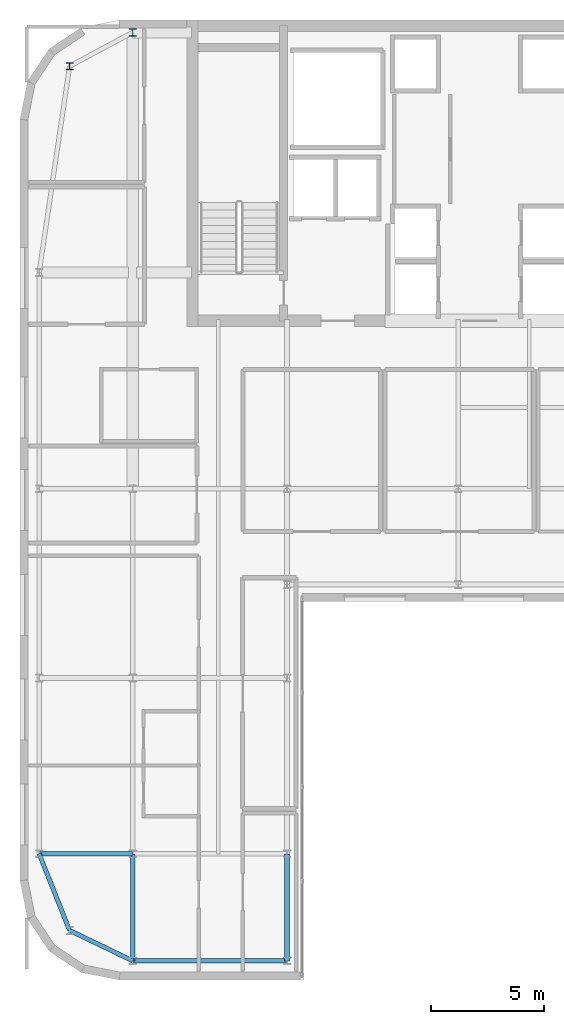
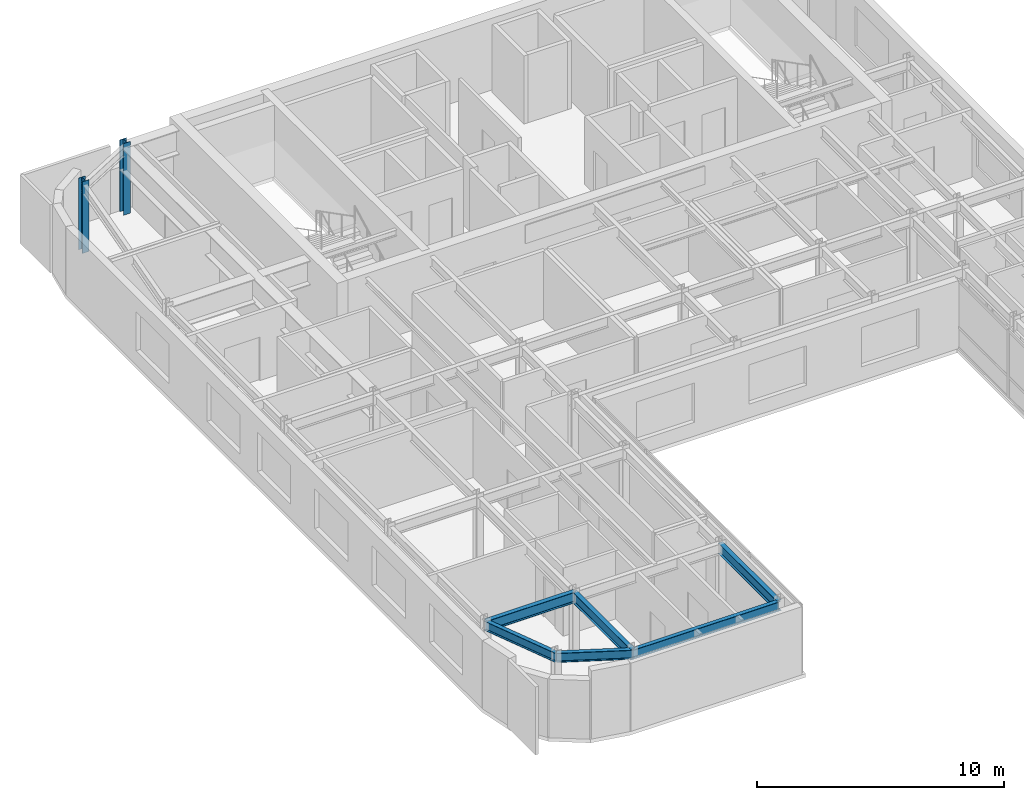
# One storey, part 3 of 18: 6 beams, 2 columns.
"""IFC4 building model written with IfcOpenShell, lengths in metres."""

from ifc_helpers import new_model, si_unit, direction, frame, origin, origin_2d, place, context, subcontext, project, spatial, i_section, extrude, source, transform, mapped, material, material_profile, profile_set, type_object, type_shapes, element, save


model = new_model("IFC4")

# Units and contexts
model_context = context("Model", 3, precision=1e-05, world=origin(), true_north=direction((0.0, 1.0)))
body_context = subcontext(model_context, "Body", "Model", "MODEL_VIEW")
ifc_project = project(units=[si_unit("LENGTHUNIT", "METRE"), si_unit("AREAUNIT", "SQUARE_METRE"), si_unit("VOLUMEUNIT", "CUBIC_METRE"), si_unit("PLANEANGLEUNIT", "RADIAN"), si_unit("MASSUNIT", "GRAM", prefix="KILO")], contexts=[model_context])

# Site, building, storey
site_placement = place(None, origin())
site = spatial("IfcSite", under=ifc_project, at=site_placement, CompositionType="ELEMENT")
building_placement = place(site_placement, origin())
building = spatial("IfcBuilding", under=site, at=building_placement, Name="Tolvann Quenvar Hotel", CompositionType="ELEMENT")
storey_placement = place(building_placement, frame((0.0, 0.0, 252.300048828125)))
storey = spatial("IfcBuildingStorey", under=building, at=storey_placement, Name="L67", CompositionType="ELEMENT", Elevation=252.300048828125)

# Columns
ifc_material = material(Name="Steel Grade 350", Category="steel")
ifc_material_profile_1 = material_profile(ifc_material, i_section(OverallWidth=0.30908203125, OverallDepth=0.321044921875, WebThickness=0.013916015625, FlangeThickness=0.021728515625, FilletRadius=0.0166015625, at=origin_2d()), Name="310UC137")
ifc_profile_set_1 = profile_set([ifc_material_profile_1], Name="Steel Grade 350")
column_type = type_object("IfcColumnType", Name="COL_310UC137", PredefinedType="COLUMN", material=ifc_profile_set_1)
shared_shape_1 = source(origin(), body_context, "Body", "SweptSolid", [
    extrude(i_section(OverallWidth=0.30908203125, OverallDepth=0.321044921875, WebThickness=0.013916015625, FlangeThickness=0.021728515625, FilletRadius=0.0166015625, at=origin_2d()), origin(), (0.0, 0.0, 1.0), 3.550048828125),
])
type_shapes(column_type, [shared_shape_1])
for number, where, z_axis, x_axis, name in (
    (1, (4.800048828125, 43.14990234375, 0.0), (0.0, 0.0, 1.0), (1.0, 0.0, 0.0), "Column BN (L67)"),
    (2, (7.60009765625, 44.64990234375, 0.0), (0.0, 0.0, 1.0), (1.0, 0.0, 0.0), "Column CN (L67)"),
):
    element("IfcColumn", number, at=place(storey_placement, frame(where, z_axis=z_axis, x_axis=x_axis)), inside=storey, type_object=column_type, Name=name, PredefinedType="COLUMN", context=body_context, shape_type="MappedRepresentation", body=[
        mapped(shared_shape_1, transform((0.0, 0.0, 0.0), x_axis=(1.0, 0.0, 0.0), y_axis=(0.0, 1.0, 0.0), z_axis=(0.0, 0.0, 1.0), scale=1.0)),
    ])

# Beams
ifc_material_profile_2 = material_profile(ifc_material, i_section(OverallWidth=0.208984375, OverallDepth=0.532958984375, WebThickness=0.01025390625, FlangeThickness=0.015625, FilletRadius=0.013916015625, at=origin_2d()), Name="530UB92")
ifc_profile_set_2 = profile_set([ifc_material_profile_2], Name="Steel Grade 350")
beam_type_1 = type_object("IfcBeamType", Name="BM_GIRD_530UB92", PredefinedType="BEAM", material=ifc_profile_set_2)
shared_shape_2 = source(origin(), body_context, "Body", "SweptSolid", [
    extrude(i_section(OverallWidth=0.208984375, OverallDepth=0.532958984375, WebThickness=0.01025390625, FlangeThickness=0.015625, FilletRadius=0.013916015625, at=origin_2d()), origin(), (0.0, 0.0, 1.0), 4.75),
])
for number, where, z_axis, x_axis, name in (
    (3, (7.60009765625, 3.449951171875, 3.103515625), (0.0, 1.0, 0.0), (-1.0, 0.0, 0.0), "BM-L67-NS-C2-C3"),
    (4, (14.449951171875, 3.449951171875, 3.103515625), (0.0, 1.0, 0.0), (-1.0, 0.0, 0.0), "BM-L67-NS-D2-D3"),
):
    element("IfcBeam", number, at=place(storey_placement, frame(where, z_axis=z_axis, x_axis=x_axis)), inside=storey, type_object=beam_type_1, Name=name, PredefinedType="BEAM", context=body_context, shape_type="MappedRepresentation", body=[
        mapped(shared_shape_2, transform((0.0, 0.0, 0.0), x_axis=(1.0, 0.0, 0.0), y_axis=(0.0, 1.0, 0.0), z_axis=(0.0, 0.0, 1.0), scale=1.0)),
    ])
ifc_material_profile_3 = material_profile(ifc_material, i_section(OverallWidth=0.19091796875, OverallDepth=0.4599609375, WebThickness=0.010009765625, FlangeThickness=0.01611328125, FilletRadius=0.011474609375, at=origin_2d()), Name="460UB82")
ifc_profile_set_3 = profile_set([ifc_material_profile_3], Name="Steel Grade 350")
beam_type_2 = type_object("IfcBeamType", Name="BM_SPAND_460UB82", PredefinedType="SPANDREL", material=ifc_profile_set_3)
shared_shape_3 = source(origin(), body_context, "Body", "SweptSolid", [
    extrude(i_section(OverallWidth=0.19091796875, OverallDepth=0.4599609375, WebThickness=0.010009765625, FlangeThickness=0.01611328125, FilletRadius=0.011474609375, at=origin_2d()), origin(), (0.0, 0.0, 1.0), 3.108642578125),
])
beam_1_placement = place(storey_placement, frame((4.800048828125, 4.800048828125, 3.139892578125), z_axis=(0.900759354066, -0.434318530646, 0.0), x_axis=(0.434318530646, 0.900759354066, 0.0)))
element("IfcBeam", 5, at=beam_1_placement, inside=storey, type_object=beam_type_2, Name="BM-L67-EW-2-B2-C2", PredefinedType="SPANDREL", context=body_context, shape_type="MappedRepresentation", body=[
    mapped(shared_shape_3, transform((0.0, 0.0, 0.0), x_axis=(1.0, 0.0, 0.0), y_axis=(0.0, 1.0, 0.0), z_axis=(0.0, 0.0, 1.0), scale=1.0)),
])
shared_shape_4 = source(origin(), body_context, "Body", "SweptSolid", [
    extrude(i_section(OverallWidth=0.19091796875, OverallDepth=0.4599609375, WebThickness=0.010009765625, FlangeThickness=0.01611328125, FilletRadius=0.011474609375, at=origin_2d()), origin(), (0.0, 0.0, 1.0), 3.658203125),
])
beam_2_placement = place(storey_placement, frame((4.800048828125, 4.800048828125, 3.139892578125), z_axis=(-0.369065163807, 0.929403521009, 0.0), x_axis=(-0.929403521009, -0.369065163807, 0.0)))
element("IfcBeam", 6, at=beam_2_placement, inside=storey, type_object=beam_type_2, Name="BM-L67-NS-B2-B3", PredefinedType="SPANDREL", context=body_context, shape_type="MappedRepresentation", body=[
    mapped(shared_shape_4, transform((0.0, 0.0, 0.0), x_axis=(1.0, 0.0, 0.0), y_axis=(0.0, 1.0, 0.0), z_axis=(0.0, 0.0, 1.0), scale=1.0)),
])
shared_shape_5 = source(origin(), body_context, "Body", "SweptSolid", [
    extrude(i_section(OverallWidth=0.19091796875, OverallDepth=0.4599609375, WebThickness=0.010009765625, FlangeThickness=0.01611328125, FilletRadius=0.011474609375, at=origin_2d()), origin(), (0.0, 0.0, 1.0), 6.849853515625),
])
type_shapes(beam_type_2, [shared_shape_3, shared_shape_4, shared_shape_5])
beam_3_placement = place(storey_placement, frame((7.60009765625, 3.449951171875, 3.139892578125), z_axis=(1.0, 0.0, 0.0), x_axis=(0.0, 1.0, 0.0)))
element("IfcBeam", 7, at=beam_3_placement, inside=storey, type_object=beam_type_2, Name="BM-L67-EW-2-C2-D2", PredefinedType="SPANDREL", context=body_context, shape_type="MappedRepresentation", body=[
    mapped(shared_shape_5, transform((0.0, 0.0, 0.0), x_axis=(1.0, 0.0, 0.0), y_axis=(0.0, 1.0, 0.0), z_axis=(0.0, 0.0, 1.0), scale=1.0)),
])
shared_shape_6 = source(origin(), body_context, "Body", "SweptSolid", [
    extrude(i_section(OverallWidth=0.208984375, OverallDepth=0.532958984375, WebThickness=0.01025390625, FlangeThickness=0.015625, FilletRadius=0.013916015625, at=origin_2d()), origin(), (0.0, 0.0, 1.0), 4.150146484375),
])
type_shapes(beam_type_1, [shared_shape_2, shared_shape_6])
beam_4_placement = place(storey_placement, frame((3.449951171875, 8.199951171875, 3.103515625), z_axis=(1.0, 0.0, 0.0), x_axis=(0.0, 1.0, 0.0)))
element("IfcBeam", 8, at=beam_4_placement, inside=storey, type_object=beam_type_1, Name="BM-L67-EW-3-B3-C3", PredefinedType="BEAM", context=body_context, shape_type="MappedRepresentation", body=[
    mapped(shared_shape_6, transform((0.0, 0.0, 0.0), x_axis=(1.0, 0.0, 0.0), y_axis=(0.0, 1.0, 0.0), z_axis=(0.0, 0.0, 1.0), scale=1.0)),
])

save(model, "model.ifc")
